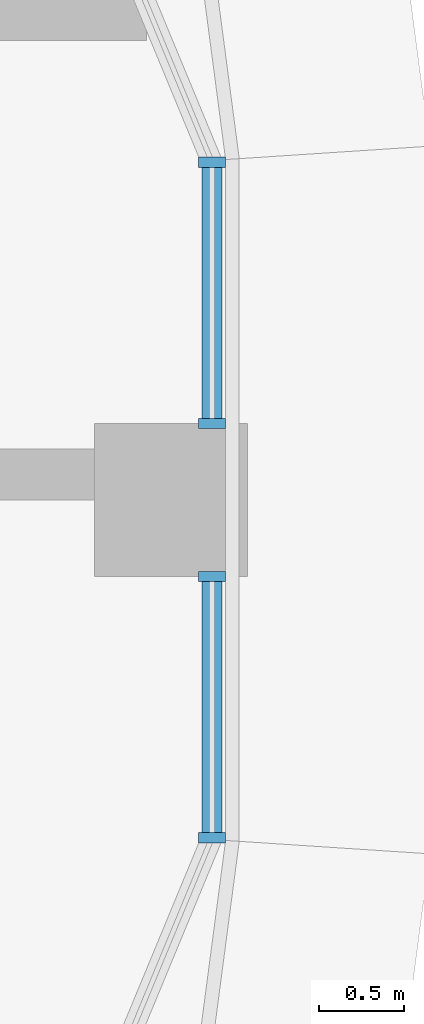
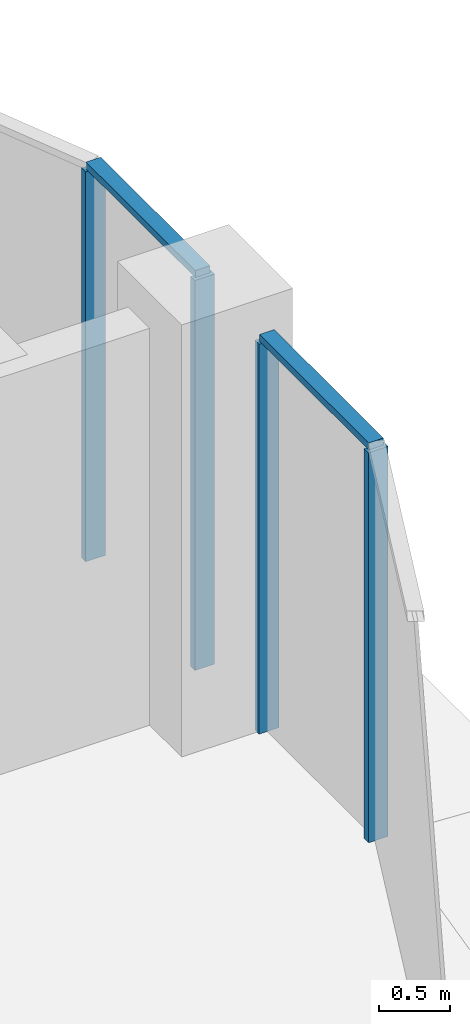
# One storey, part 6 of 20: 6 members, 2 elements without a shape of their own.
"""IFC4 building model written with IfcOpenShell, lengths in metres."""

from ifc_helpers import new_model, si_unit, direction, frame, origin, origin_2d, place, context, subcontext, project, spatial, rectangle, extrude, material, material_profile, profile_set, type_object, element, aggregate, save


model = new_model("IFC4")

# Units and contexts
model_context = context("Model", 3, precision=1e-05, world=origin(), true_north=direction((0.0, 1.0)))
body_context = subcontext(model_context, "Body", "Model", "MODEL_VIEW")
ifc_project = project(units=[si_unit("LENGTHUNIT", "METRE"), si_unit("AREAUNIT", "SQUARE_METRE"), si_unit("VOLUMEUNIT", "CUBIC_METRE"), si_unit("PLANEANGLEUNIT", "RADIAN"), si_unit("MASSUNIT", "GRAM", prefix="KILO")], contexts=[model_context])

# Site, building, storey
site_placement = place(None, origin())
site = spatial("IfcSite", under=ifc_project, at=site_placement, CompositionType="ELEMENT")
building_placement = place(site_placement, origin())
building = spatial("IfcBuilding", under=site, at=building_placement, Name="Ogive Portal Towers", CompositionType="ELEMENT")
storey_placement = place(building_placement, frame((0.0, 0.0, 214.300048828125)))
storey = spatial("IfcBuildingStorey", under=building, at=storey_placement, Name="L53", CompositionType="ELEMENT", Elevation=214.300048828125)

# Curtain wall, members
ifc_material_1 = material(Name="Glass, clear low-iron insulated glazing", Category="glass")
curtain_wall_type = type_object("IfcCurtainWallType", Name="CW FRONT RIBBON 4500", PredefinedType="NOTDEFINED", material=ifc_material_1)
curtain_wall_1_placement = place(storey_placement, origin())
curtain_wall_1 = element("IfcCurtainWall", 1, at=curtain_wall_1_placement, inside=storey, type_object=curtain_wall_type, Name="A:L53:f23:cw0~0", PredefinedType="NOTDEFINED")
ifc_material_2 = material(Name="Aluminium 6063 anodised", Category="aluminium")
ifc_material_profile_1 = material_profile(ifc_material_2, rectangle(XDim=0.159912109375, YDim=0.06005859375, at=origin_2d()), Name="AL 60x160")
ifc_profile_set_1 = profile_set([ifc_material_profile_1], Name="Aluminium 6063 anodised")
member_type_1 = type_object("IfcMemberType", Name="CW MULLION 60x160", PredefinedType="MULLION", material=ifc_profile_set_1)
member_1_placement = place(storey_placement, frame((94.739990234375, 28.515869140625, 0.0), z_axis=(0.0, 0.0, 1.0), x_axis=(-1.0, 0.0, 0.0)))
member_1 = element("IfcMember", 2, at=member_1_placement, type_object=member_type_1, Name="mullion", PredefinedType="MULLION", context=body_context, shape_type="SweptSolid", body=[
    extrude(rectangle(XDim=0.159912109375, YDim=0.06005859375, at=origin_2d()), origin(), (0.0, 0.0, 1.0), 3.33984375),
])
member_2_placement = place(storey_placement, frame((94.739990234375, 30.050048828125, 0.0), z_axis=(0.0, 0.0, 1.0), x_axis=(-1.0, 0.0, 0.0)))
member_2 = element("IfcMember", 3, at=member_2_placement, type_object=member_type_1, Name="mullion", PredefinedType="MULLION", context=body_context, shape_type="SweptSolid", body=[
    extrude(rectangle(XDim=0.159912109375, YDim=0.06005859375, at=origin_2d()), origin(), (0.0, 0.0, 1.0), 3.33984375),
])

curtain_wall_2_placement = place(storey_placement, origin())
curtain_wall_2 = element("IfcCurtainWall", 4, at=curtain_wall_2_placement, inside=storey, type_object=curtain_wall_type, Name="A:L53:f23:cw0~1", PredefinedType="NOTDEFINED")
member_3_placement = place(storey_placement, frame((94.739990234375, 30.949951171875, 0.0), z_axis=(0.0, 0.0, 1.0), x_axis=(-1.0, 0.0, 0.0)))
member_3 = element("IfcMember", 5, at=member_3_placement, type_object=member_type_1, Name="mullion", PredefinedType="MULLION", context=body_context, shape_type="SweptSolid", body=[
    extrude(rectangle(XDim=0.159912109375, YDim=0.06005859375, at=origin_2d()), origin(), (0.0, 0.0, 1.0), 3.33984375),
])
member_4_placement = place(storey_placement, frame((94.739990234375, 32.484130859375, 0.0), z_axis=(0.0, 0.0, 1.0), x_axis=(-1.0, 0.0, 0.0)))
member_4 = element("IfcMember", 6, at=member_4_placement, type_object=member_type_1, Name="mullion", PredefinedType="MULLION", context=body_context, shape_type="SweptSolid", body=[
    extrude(rectangle(XDim=0.159912109375, YDim=0.06005859375, at=origin_2d()), origin(), (0.0, 0.0, 1.0), 3.33984375),
])

# Member
ifc_material_profile_2 = material_profile(ifc_material_2, rectangle(XDim=0.1201171875, YDim=0.06005859375, at=origin_2d()), Name="AL 120x60")
ifc_profile_set_2 = profile_set([ifc_material_profile_2], Name="Aluminium 6063 anodised")
member_type_2 = type_object("IfcMemberType", Name="CW TRANSOM 60x120", PredefinedType="USERDEFINED", material=ifc_profile_set_2)
member_5_placement = place(storey_placement, frame((94.739990234375, 28.515869140625, 3.369873046875), z_axis=(0.0, 1.0, 0.0), x_axis=(-1.0, 0.0, 0.0)))
member_5 = element("IfcMember", 7, at=member_5_placement, type_object=member_type_2, Name="transom", ObjectType="TRANSOM", PredefinedType="USERDEFINED", context=body_context, shape_type="SweptSolid", body=[
    extrude(rectangle(XDim=0.1201171875, YDim=0.06005859375, at=origin_2d()), origin(), (0.0, 0.0, 1.0), 1.5341796875),
])

aggregate(curtain_wall_1, [member_5, member_1, member_2])

member_6_placement = place(storey_placement, frame((94.739990234375, 30.949951171875, 3.369873046875), z_axis=(0.0, 1.0, 0.0), x_axis=(-1.0, 0.0, 0.0)))
member_6 = element("IfcMember", 8, at=member_6_placement, type_object=member_type_2, Name="transom", ObjectType="TRANSOM", PredefinedType="USERDEFINED", context=body_context, shape_type="SweptSolid", body=[
    extrude(rectangle(XDim=0.1201171875, YDim=0.06005859375, at=origin_2d()), origin(), (0.0, 0.0, 1.0), 1.5341796875),
])

aggregate(curtain_wall_2, [member_6, member_3, member_4])

save(model, "model.ifc")
